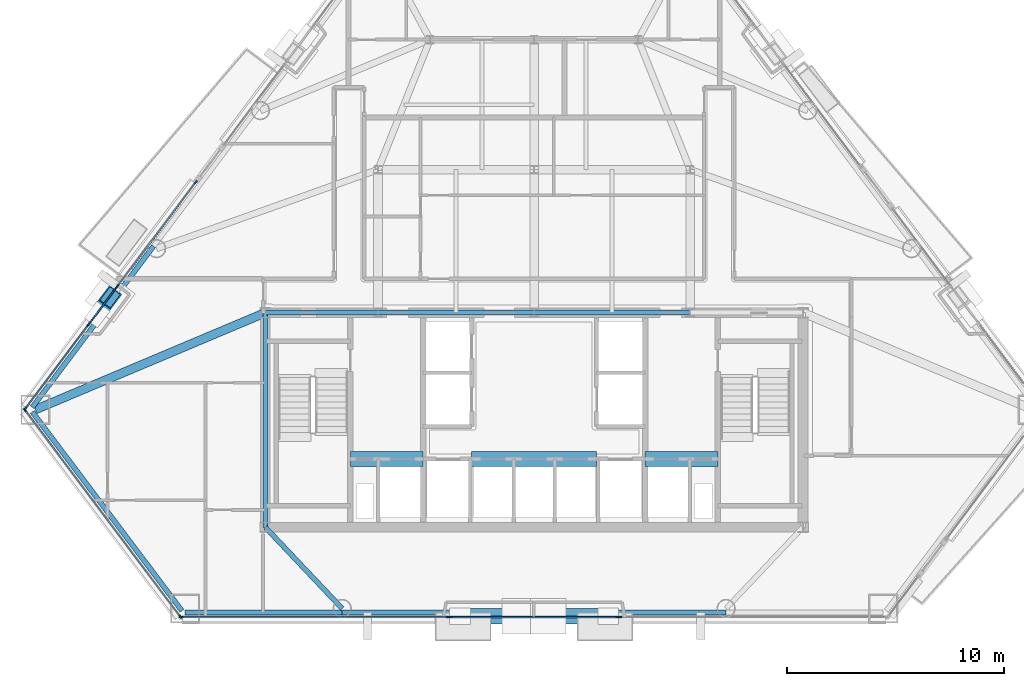
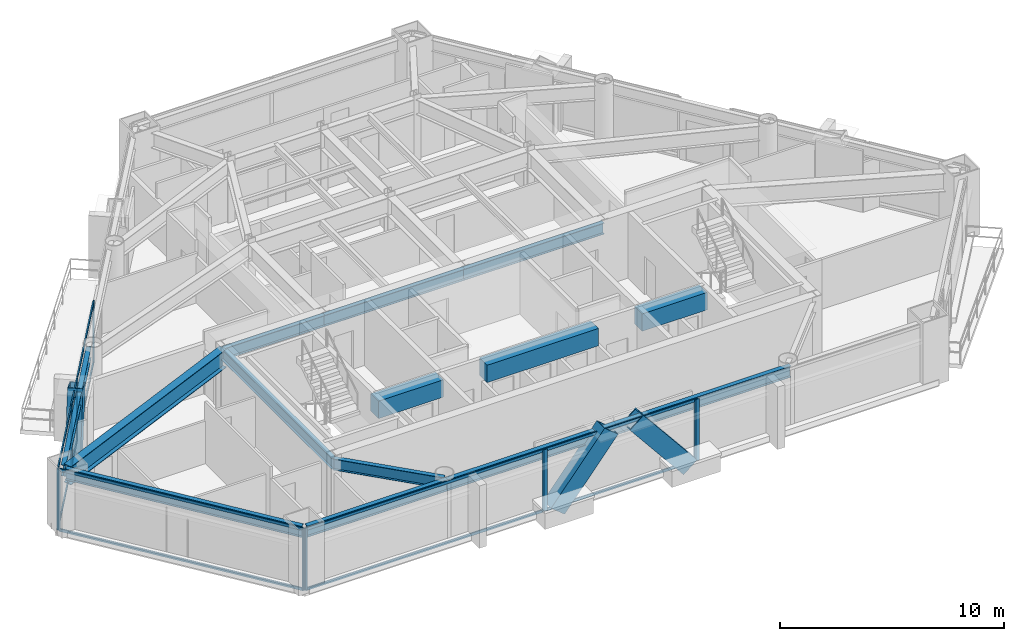
# One storey, part 2 of 11: 28 members, 13 beams, 7 elements without a shape of their own.
"""IFC4 building model written with IfcOpenShell, lengths in metres."""

from ifc_helpers import new_model, si_unit, direction, frame, origin, origin_2d, place, context, subcontext, project, spatial, rectangle, hollow_rectangle, i_section, extrude, material, layer, layer_set, material_profile, profile_set, type_object, element, aggregate, save


model = new_model("IFC4")

# Units and contexts
model_context = context("Model", 3, precision=1e-05, world=origin(), true_north=direction((0.0, 1.0)))
body_context = subcontext(model_context, "Body", "Model", "MODEL_VIEW")
ifc_project = project(units=[si_unit("LENGTHUNIT", "METRE"), si_unit("AREAUNIT", "SQUARE_METRE"), si_unit("VOLUMEUNIT", "CUBIC_METRE"), si_unit("PLANEANGLEUNIT", "RADIAN"), si_unit("MASSUNIT", "GRAM", prefix="KILO")], contexts=[model_context])

# Site, building, storey
site_placement = place(None, origin())
site = spatial("IfcSite", under=ifc_project, at=site_placement, CompositionType="ELEMENT")
building_placement = place(site_placement, origin())
building = spatial("IfcBuilding", under=site, at=building_placement, Name="Talgorran Terracotta Tower", CompositionType="ELEMENT")
storey_placement = place(building_placement, frame((0.0, 0.0, 72.0)))
storey = spatial("IfcBuildingStorey", under=building, at=storey_placement, Name="L18", CompositionType="ELEMENT", Elevation=72.0)

# Beams
ifc_material_1 = material(Name="Steel Grade 350 (350L0)", Category="steel")
ifc_material_profile_1 = material_profile(ifc_material_1, i_section(OverallWidth=0.39990234375, OverallDepth=1.0, WebThickness=0.01611328125, FlangeThickness=0.031005859375, at=origin_2d()), Name="1000WB296")
ifc_profile_set_1 = profile_set([ifc_material_profile_1], Name="Steel Grade 350 (350L0)")
beam_type_1 = type_object("IfcBeamType", Name="BM_1000WB296", PredefinedType="BEAM", material=ifc_profile_set_1)
beam_1_placement = place(storey_placement, frame((-12.39990234375, -4.199951171875, 2.85009765625), z_axis=(-0.921400833848, -0.388613565619, 0.0), x_axis=(0.388613565619, -0.921400833848, 0.0)))
element("IfcBeam", 1, at=beam_1_placement, inside=storey, type_object=beam_type_1, Name="L18 Floor Girder G17", PredefinedType="BEAM", context=body_context, shape_type="SweptSolid", body=[
    extrude(i_section(OverallWidth=0.39990234375, OverallDepth=1.0, WebThickness=0.01611328125, FlangeThickness=0.031005859375, at=origin_2d()), origin(), (0.0, 0.0, 1.0), 11.510009765625),
])
ifc_material_2 = material(Name="Concrete C65/80", Category="concrete")
ifc_material_profile_2 = material_profile(ifc_material_2, rectangle(XDim=0.699951171875, YDim=0.949951171875, at=origin_2d()), Name="RCCB700X950")
ifc_profile_set_2 = profile_set([ifc_material_profile_2], Name="Concrete C65/80")
beam_type_2 = type_object("IfcBeamType", Name="BM_CB_700X950", PredefinedType="LINTEL", material=ifc_profile_set_2)
beam_2_placement = place(storey_placement, frame((-8.47998046875, -10.949951171875, 2.875), z_axis=(1.0, 0.0, 0.0), x_axis=(0.0, 1.0, 0.0)))
element("IfcBeam", 2, at=beam_2_placement, inside=storey, type_object=beam_type_2, Name="L18 Core Shear-Wall Coupling Beam CB1", PredefinedType="LINTEL", context=body_context, shape_type="SweptSolid", body=[
    extrude(rectangle(XDim=0.699951171875, YDim=0.949951171875, at=origin_2d()), origin(), (0.0, 0.0, 1.0), 3.35986328125),
])
beam_3_placement = place(storey_placement, frame((-2.8798828125, -10.949951171875, 2.875), z_axis=(1.0, 0.0, 0.0), x_axis=(0.0, 1.0, 0.0)))
element("IfcBeam", 3, at=beam_3_placement, inside=storey, type_object=beam_type_2, Name="L18 Core Shear-Wall Coupling Beam CB2", PredefinedType="LINTEL", context=body_context, shape_type="SweptSolid", body=[
    extrude(rectangle(XDim=0.699951171875, YDim=0.949951171875, at=origin_2d()), origin(), (0.0, 0.0, 1.0), 5.759765625),
])
beam_4_placement = place(storey_placement, frame((5.1201171875, -10.949951171875, 2.875), z_axis=(1.0, 0.0, 0.0), x_axis=(0.0, 1.0, 0.0)))
element("IfcBeam", 4, at=beam_4_placement, inside=storey, type_object=beam_type_2, Name="L18 Core Shear-Wall Coupling Beam CB3", PredefinedType="LINTEL", context=body_context, shape_type="SweptSolid", body=[
    extrude(rectangle(XDim=0.699951171875, YDim=0.949951171875, at=origin_2d()), origin(), (0.0, 0.0, 1.0), 3.35986328125),
])
ifc_material_3 = material(Name="Steel S355 (300PLUS)", Category="steel")
ifc_material_profile_3 = material_profile(ifc_material_3, i_section(OverallWidth=0.22900390625, OverallDepth=0.611572265625, WebThickness=0.011962890625, FlangeThickness=0.01953125, at=origin_2d()), Name="610UB125")
ifc_profile_set_3 = profile_set([ifc_material_profile_3], Name="Steel S355 (300PLUS)")
beam_type_3 = type_object("IfcBeamType", Name="BM_SP_610UB125", PredefinedType="SPANDREL", material=ifc_profile_set_3)
beam_5_placement = place(storey_placement, frame((-23.14892578125, -8.781005859375, 3.044189453125), z_axis=(0.601237780209, -0.799070166913, 0.0), x_axis=(0.799070166913, 0.601237780209, 0.0)))
element("IfcBeam", 5, at=beam_5_placement, inside=storey, type_object=beam_type_3, Name="L18 Perimeter Spandrel Beam MC1-MC2", PredefinedType="SPANDREL", context=body_context, shape_type="SweptSolid", body=[
    extrude(i_section(OverallWidth=0.22900390625, OverallDepth=0.611572265625, WebThickness=0.011962890625, FlangeThickness=0.01953125, at=origin_2d()), origin(), (0.0, 0.0, 1.0), 11.480712890625),
])
beam_6_placement = place(storey_placement, frame((-16.1025390625, -18.026611328125, 3.044189453125), z_axis=(1.0, 0.0, 0.0), x_axis=(0.0, 1.0, 0.0)))
element("IfcBeam", 6, at=beam_6_placement, inside=storey, type_object=beam_type_3, Name="L18 Perimeter Spandrel Beam MC2-FC1", PredefinedType="SPANDREL", context=body_context, shape_type="SweptSolid", body=[
    extrude(i_section(OverallWidth=0.22900390625, OverallDepth=0.611572265625, WebThickness=0.011962890625, FlangeThickness=0.01953125, at=origin_2d()), origin(), (0.0, 0.0, 1.0), 7.24609375),
])
beam_7_placement = place(storey_placement, frame((-8.8564453125, -18.026611328125, 3.044189453125), z_axis=(1.0, 0.0, 0.0), x_axis=(0.0, 1.0, 0.0)))
element("IfcBeam", 7, at=beam_7_placement, inside=storey, type_object=beam_type_3, Name="L18 Perimeter Spandrel Beam FC1-FC2", PredefinedType="SPANDREL", context=body_context, shape_type="SweptSolid", body=[
    extrude(i_section(OverallWidth=0.22900390625, OverallDepth=0.611572265625, WebThickness=0.011962890625, FlangeThickness=0.01953125, at=origin_2d()), origin(), (0.0, 0.0, 1.0), 17.712890625),
])
beam_8_placement = place(storey_placement, frame((-17.559326171875, -1.135498046875, 3.044189453125), z_axis=(-0.601217758064, -0.799085231617, 0.0), x_axis=(0.799085231617, -0.601217758064, 0.0)))
element("IfcBeam", 8, at=beam_8_placement, inside=storey, type_object=beam_type_3, Name="L18 Perimeter Spandrel Beam FC6-MC1", PredefinedType="SPANDREL", context=body_context, shape_type="SweptSolid", body=[
    extrude(i_section(OverallWidth=0.22900390625, OverallDepth=0.611572265625, WebThickness=0.011962890625, FlangeThickness=0.01953125, at=origin_2d()), origin(), (0.0, 0.0, 1.0), 9.297119140625),
])
beam_9_placement = place(storey_placement, frame((-8.8564453125, -17.8466796875, 3.044189453125), z_axis=(-0.687137724954, 0.726527182523, 0.0), x_axis=(-0.726527182523, -0.687137724954, 0.0)))
element("IfcBeam", 9, at=beam_9_placement, inside=storey, type_object=beam_type_3, Name="L18 South-West Core Tie Beam", PredefinedType="SPANDREL", context=body_context, shape_type="SweptSolid", body=[
    extrude(i_section(OverallWidth=0.22900390625, OverallDepth=0.611572265625, WebThickness=0.011962890625, FlangeThickness=0.01953125, at=origin_2d()), origin(), (0.0, 0.0, 1.0), 5.15673828125),
])
beam_10_placement = place(storey_placement, frame((-12.39990234375, -14.10009765625, 3.044189453125), z_axis=(0.0, 1.0, 0.0), x_axis=(-1.0, 0.0, 0.0)))
element("IfcBeam", 10, at=beam_10_placement, inside=storey, type_object=beam_type_3, Name="L18 Core Frame Beam CFW", PredefinedType="SPANDREL", context=body_context, shape_type="SweptSolid", body=[
    extrude(i_section(OverallWidth=0.22900390625, OverallDepth=0.611572265625, WebThickness=0.011962890625, FlangeThickness=0.01953125, at=origin_2d()), origin(), (0.0, 0.0, 1.0), 9.900146484375),
])
beam_11_placement = place(storey_placement, frame((-12.39990234375, -4.199951171875, 3.044189453125), z_axis=(1.0, 0.0, 0.0), x_axis=(0.0, 1.0, 0.0)))
element("IfcBeam", 11, at=beam_11_placement, inside=storey, type_object=beam_type_3, Name="L18 Core Frame Beam CFN1", PredefinedType="SPANDREL", context=body_context, shape_type="SweptSolid", body=[
    extrude(i_section(OverallWidth=0.22900390625, OverallDepth=0.611572265625, WebThickness=0.011962890625, FlangeThickness=0.01953125, at=origin_2d()), origin(), (0.0, 0.0, 1.0), 5.199951171875),
])
for number, where, z_axis, x_axis, name in (
    (12, (-7.199951171875, -4.199951171875, 3.044189453125), (1.0, 0.0, 0.0), (0.0, 1.0, 0.0), "L18 Core Frame Beam CFN2"),
    (13, (0.0, -4.199951171875, 3.044189453125), (1.0, 0.0, 0.0), (0.0, 1.0, 0.0), "L18 Core Frame Beam CFN3"),
):
    element("IfcBeam", number, at=place(storey_placement, frame(where, z_axis=z_axis, x_axis=x_axis)), inside=storey, type_object=beam_type_3, Name=name, PredefinedType="SPANDREL", context=body_context, shape_type="SweptSolid", body=[
        extrude(i_section(OverallWidth=0.22900390625, OverallDepth=0.611572265625, WebThickness=0.011962890625, FlangeThickness=0.01953125, at=origin_2d()), origin(), (0.0, 0.0, 1.0), 7.199951171875),
    ])

# Members
ifc_material_profile_4 = material_profile(ifc_material_1, hollow_rectangle(XDim=0.699951171875, YDim=0.89990234375, WallThickness=0.050048828125, at=origin_2d()), Name="WBOX900X700X50")
ifc_profile_set_4 = profile_set([ifc_material_profile_4], Name="Steel Grade 350 (350L0)")
member_type_1 = type_object("IfcMemberType", Name="MB_MEGA_900", PredefinedType="BRACE", material=ifc_profile_set_4)
for number, where, z_axis, x_axis, name in (
    (14, (-3.419189453125, -18.206787109375, -0.02490234375), (0.63133449361, 0.0, 0.775510642853), (0.0, 1.0, 0.0), "L18 Exterior Face Mega-Brace MB-1 (SWF)"),
    (15, (3.419189453125, -18.206787109375, -0.02490234375), (-0.63133449361, 0.0, 0.775510642853), (0.0, -1.0, 0.0), "L18 Exterior Face Mega-Brace MB-1 (SEF)"),
):
    element("IfcMember", number, at=place(storey_placement, frame(where, z_axis=z_axis, x_axis=x_axis)), inside=storey, type_object=member_type_1, Name=name, PredefinedType="BRACE", context=body_context, shape_type="SweptSolid", body=[
        extrude(hollow_rectangle(XDim=0.699951171875, YDim=0.89990234375, WallThickness=0.050048828125, at=origin_2d()), origin(), (0.0, 0.0, 1.0), 4.384033203125),
    ])
member_1_placement = place(storey_placement, frame((-20.15869140625, -4.291015625, -0.02490234375), z_axis=(0.169544414905, 0.225416223311, 0.959396798849), x_axis=(-0.799178579283, 0.601093668587, 0.0)))
element("IfcMember", 16, at=member_1_placement, inside=storey, type_object=member_type_1, Name="L18 Exterior Face Mega-Brace MB-1 (NWL)", PredefinedType="BRACE", context=body_context, shape_type="SweptSolid", body=[
    extrude(hollow_rectangle(XDim=0.699951171875, YDim=0.89990234375, WallThickness=0.050048828125, at=origin_2d()), origin(), (0.0, 0.0, 1.0), 3.543701171875),
])

# Curtain wall, members
ifc_material_4 = material(Name="Unitised Low-E Double Glazing", Category="glass")
ifc_layer = layer(ifc_material_4, 0.199951171875, Name="CW_SYS2_RES_LOW")
ifc_layer_set = layer_set([ifc_layer], Name="Unitised Low-E Double Glazing")
curtain_wall_type = type_object("IfcCurtainWallType", Name="CW_SYS2_RES_LOW", PredefinedType="NOTDEFINED", material=ifc_layer_set)
curtain_wall_1_placement = place(storey_placement, origin())
curtain_wall_1 = element("IfcCurtainWall", 17, at=curtain_wall_1_placement, inside=storey, type_object=curtain_wall_type, Name="CW-L18-F0", PredefinedType="NOTDEFINED")
ifc_material_5 = material(Name="Architectural Aluminium 6063-T6", Category="aluminium")
ifc_material_profile_5 = material_profile(ifc_material_5, rectangle(XDim=0.06494140625, YDim=0.18505859375, at=origin_2d()), Name="CWM65X185")
ifc_profile_set_5 = profile_set([ifc_material_profile_5], Name="Architectural Aluminium 6063-T6")
member_type_2 = type_object("IfcMemberType", Name="MUL_65X185", PredefinedType="MULLION", material=ifc_profile_set_5)
member_2_placement = place(storey_placement, frame((-23.486328125, -8.69873046875, 0.0), z_axis=(0.0, 0.0, 1.0), x_axis=(0.799066585102, 0.601242540556, 0.0)))
member_2 = element("IfcMember", 18, at=member_2_placement, type_object=member_type_2, Name="CW-L18-0 mullion 1", PredefinedType="MULLION", context=body_context, shape_type="SweptSolid", body=[
    extrude(rectangle(XDim=0.06494140625, YDim=0.18505859375, at=origin_2d()), origin(), (0.0, 0.0, 1.0), 3.35009765625),
])
member_3_placement = place(storey_placement, frame((-16.321533203125, -18.220703125, 0.0), z_axis=(0.0, 0.0, 1.0), x_axis=(0.799066585102, 0.601242540556, 0.0)))
member_3 = element("IfcMember", 19, at=member_3_placement, type_object=member_type_2, Name="CW-L18-0 mullion 2", PredefinedType="MULLION", context=body_context, shape_type="SweptSolid", body=[
    extrude(rectangle(XDim=0.06494140625, YDim=0.18505859375, at=origin_2d()), origin(), (0.0, 0.0, 1.0), 3.35009765625),
])

curtain_wall_2_placement = place(storey_placement, origin())
curtain_wall_2 = element("IfcCurtainWall", 20, at=curtain_wall_2_placement, inside=storey, type_object=curtain_wall_type, Name="CW-L18-F1", PredefinedType="NOTDEFINED")
member_4_placement = place(storey_placement, frame((-16.26953125, -18.24658203125, 0.0), z_axis=(0.0, 0.0, 1.0), x_axis=(0.0, 1.0, 0.0)))
member_4 = element("IfcMember", 21, at=member_4_placement, type_object=member_type_2, Name="CW-L18-1 mullion 1", PredefinedType="MULLION", context=body_context, shape_type="SweptSolid", body=[
    extrude(rectangle(XDim=0.06494140625, YDim=0.18505859375, at=origin_2d()), origin(), (0.0, 0.0, 1.0), 3.35009765625),
])
member_5_placement = place(storey_placement, frame((-3.955810546875, -18.24658203125, 0.0), z_axis=(0.0, 0.0, 1.0), x_axis=(0.0, 1.0, 0.0)))
member_5 = element("IfcMember", 22, at=member_5_placement, type_object=member_type_2, Name="CW-L18-1 mullion 2", PredefinedType="MULLION", context=body_context, shape_type="SweptSolid", body=[
    extrude(rectangle(XDim=0.06494140625, YDim=0.18505859375, at=origin_2d()), origin(), (0.0, 0.0, 1.0), 3.35009765625),
])

curtain_wall_3_placement = place(storey_placement, origin())
curtain_wall_3 = element("IfcCurtainWall", 23, at=curtain_wall_3_placement, inside=storey, type_object=curtain_wall_type, Name="CW-L18-F1B", PredefinedType="NOTDEFINED")
member_6_placement = place(storey_placement, frame((-3.880859375, -18.24658203125, 0.0), z_axis=(0.0, 0.0, 1.0), x_axis=(0.0, 1.0, 0.0)))
member_6 = element("IfcMember", 24, at=member_6_placement, type_object=member_type_2, Name="CW-L18-1B mullion 1", PredefinedType="MULLION", context=body_context, shape_type="SweptSolid", body=[
    extrude(rectangle(XDim=0.06494140625, YDim=0.18505859375, at=origin_2d()), origin(), (0.0, 0.0, 1.0), 3.35009765625),
])
member_7_placement = place(storey_placement, frame((3.880859375, -18.24658203125, 0.0), z_axis=(0.0, 0.0, 1.0), x_axis=(0.0, 1.0, 0.0)))
member_7 = element("IfcMember", 25, at=member_7_placement, type_object=member_type_2, Name="CW-L18-1B mullion 2", PredefinedType="MULLION", context=body_context, shape_type="SweptSolid", body=[
    extrude(rectangle(XDim=0.06494140625, YDim=0.18505859375, at=origin_2d()), origin(), (0.0, 0.0, 1.0), 3.35009765625),
])

# Curtain wall, member
curtain_wall_4_placement = place(storey_placement, origin())
curtain_wall_4 = element("IfcCurtainWall", 26, at=curtain_wall_4_placement, inside=storey, type_object=curtain_wall_type, Name="CW-L18-F1C", PredefinedType="NOTDEFINED")
member_8_placement = place(storey_placement, frame((3.955810546875, -18.24658203125, 0.0), z_axis=(0.0, 0.0, 1.0), x_axis=(0.0, 1.0, 0.0)))
member_8 = element("IfcMember", 27, at=member_8_placement, type_object=member_type_2, Name="CW-L18-1C mullion 1", PredefinedType="MULLION", context=body_context, shape_type="SweptSolid", body=[
    extrude(rectangle(XDim=0.06494140625, YDim=0.18505859375, at=origin_2d()), origin(), (0.0, 0.0, 1.0), 3.35009765625),
])
aggregate(curtain_wall_4, [member_8])

# Curtain wall, members
curtain_wall_5_placement = place(storey_placement, origin())
curtain_wall_5 = element("IfcCurtainWall", 28, at=curtain_wall_5_placement, inside=storey, type_object=curtain_wall_type, Name="CW-L18-F61", PredefinedType="NOTDEFINED")
member_9_placement = place(storey_placement, frame((-15.6162109375, 1.812744140625, 0.0), z_axis=(0.0, 0.0, 1.0), x_axis=(0.799063538603, -0.601246589409, 0.0)))
member_9 = element("IfcMember", 29, at=member_9_placement, type_object=member_type_2, Name="CW-L18-61 mullion 1", PredefinedType="MULLION", context=body_context, shape_type="SweptSolid", body=[
    extrude(rectangle(XDim=0.06494140625, YDim=0.18505859375, at=origin_2d()), origin(), (0.0, 0.0, 1.0), 3.35009765625),
])
member_10_placement = place(storey_placement, frame((-19.217529296875, -2.973388671875, 0.0), z_axis=(0.0, 0.0, 1.0), x_axis=(0.799063538603, -0.601246589409, 0.0)))
member_10 = element("IfcMember", 30, at=member_10_placement, type_object=member_type_2, Name="CW-L18-61 mullion 2", PredefinedType="MULLION", context=body_context, shape_type="SweptSolid", body=[
    extrude(rectangle(XDim=0.06494140625, YDim=0.18505859375, at=origin_2d()), origin(), (0.0, 0.0, 1.0), 3.35009765625),
])

curtain_wall_6_placement = place(storey_placement, origin())
curtain_wall_6 = element("IfcCurtainWall", 31, at=curtain_wall_6_placement, inside=storey, type_object=curtain_wall_type, Name="CW-L18-F61B", PredefinedType="NOTDEFINED")
member_11_placement = place(storey_placement, frame((-19.262451171875, -3.033447265625, 0.0), z_axis=(0.0, 0.0, 1.0), x_axis=(0.79906266779, -0.601247746727, 0.0)))
member_11 = element("IfcMember", 32, at=member_11_placement, type_object=member_type_2, Name="CW-L18-61B mullion 1", PredefinedType="MULLION", context=body_context, shape_type="SweptSolid", body=[
    extrude(rectangle(XDim=0.06494140625, YDim=0.18505859375, at=origin_2d()), origin(), (0.0, 0.0, 1.0), 3.35009765625),
])
member_12_placement = place(storey_placement, frame((-20.51806640625, -4.701904296875, 0.0), z_axis=(0.0, 0.0, 1.0), x_axis=(0.79906266779, -0.601247746727, 0.0)))
member_12 = element("IfcMember", 33, at=member_12_placement, type_object=member_type_2, Name="CW-L18-61B mullion 2", PredefinedType="MULLION", context=body_context, shape_type="SweptSolid", body=[
    extrude(rectangle(XDim=0.06494140625, YDim=0.18505859375, at=origin_2d()), origin(), (0.0, 0.0, 1.0), 3.35009765625),
])

curtain_wall_7_placement = place(storey_placement, origin())
curtain_wall_7 = element("IfcCurtainWall", 34, at=curtain_wall_7_placement, inside=storey, type_object=curtain_wall_type, Name="CW-L18-F61C", PredefinedType="NOTDEFINED")
member_13_placement = place(storey_placement, frame((-20.56298828125, -4.76171875, 0.0), z_axis=(0.0, 0.0, 1.0), x_axis=(0.799061020929, -0.601249935411, 0.0)))
member_13 = element("IfcMember", 35, at=member_13_placement, type_object=member_type_2, Name="CW-L18-61C mullion 1", PredefinedType="MULLION", context=body_context, shape_type="SweptSolid", body=[
    extrude(rectangle(XDim=0.06494140625, YDim=0.18505859375, at=origin_2d()), origin(), (0.0, 0.0, 1.0), 3.35009765625),
])
member_14_placement = place(storey_placement, frame((-23.462158203125, -8.61474609375, 0.0), z_axis=(0.0, 0.0, 1.0), x_axis=(0.799061020929, -0.601249935411, 0.0)))
member_14 = element("IfcMember", 36, at=member_14_placement, type_object=member_type_2, Name="CW-L18-61C mullion 2", PredefinedType="MULLION", context=body_context, shape_type="SweptSolid", body=[
    extrude(rectangle(XDim=0.06494140625, YDim=0.18505859375, at=origin_2d()), origin(), (0.0, 0.0, 1.0), 3.35009765625),
])

# Member
ifc_material_profile_6 = material_profile(ifc_material_5, rectangle(XDim=0.06494140625, YDim=0.14990234375, at=origin_2d()), Name="CWT65X150")
ifc_profile_set_6 = profile_set([ifc_material_profile_6], Name="Architectural Aluminium 6063-T6")
member_type_3 = type_object("IfcMemberType", Name="TRN_65X150", PredefinedType="USERDEFINED", material=ifc_profile_set_6)
member_15_placement = place(storey_placement, frame((-23.466796875, -8.724853515625, 0.032470703125), z_axis=(0.601255042724, -0.799057177929, 0.0), x_axis=(0.799057177929, 0.601255042724, 0.0)))
member_15 = element("IfcMember", 37, at=member_15_placement, type_object=member_type_3, Name="CW-L18-0 transom 1.1", ObjectType="TRANSOM", PredefinedType="USERDEFINED", context=body_context, shape_type="SweptSolid", body=[
    extrude(rectangle(XDim=0.06494140625, YDim=0.14990234375, at=origin_2d()), origin(), (0.0, 0.0, 1.0), 11.851318359375),
])

member_16_placement = place(storey_placement, frame((-23.466796875, -8.724853515625, 3.3173828125), z_axis=(0.601255042724, -0.799057177929, 0.0), x_axis=(0.799057177929, 0.601255042724, 0.0)))
member_16 = element("IfcMember", 38, at=member_16_placement, type_object=member_type_3, Name="CW-L18-0 transom 1.2", ObjectType="TRANSOM", PredefinedType="USERDEFINED", context=body_context, shape_type="SweptSolid", body=[
    extrude(rectangle(XDim=0.06494140625, YDim=0.14990234375, at=origin_2d()), origin(), (0.0, 0.0, 1.0), 11.851318359375),
])

aggregate(curtain_wall_1, [member_2, member_3, member_15, member_16])

member_17_placement = place(storey_placement, frame((-16.237060546875, -18.24658203125, 0.032470703125), z_axis=(1.0, 0.0, 0.0), x_axis=(0.0, 1.0, 0.0)))
member_17 = element("IfcMember", 39, at=member_17_placement, type_object=member_type_3, Name="CW-L18-1 transom 1.1", ObjectType="TRANSOM", PredefinedType="USERDEFINED", context=body_context, shape_type="SweptSolid", body=[
    extrude(rectangle(XDim=0.06494140625, YDim=0.14990234375, at=origin_2d()), origin(), (0.0, 0.0, 1.0), 12.248779296875),
])

member_18_placement = place(storey_placement, frame((-16.237060546875, -18.24658203125, 3.3173828125), z_axis=(1.0, 0.0, 0.0), x_axis=(0.0, 1.0, 0.0)))
member_18 = element("IfcMember", 40, at=member_18_placement, type_object=member_type_3, Name="CW-L18-1 transom 1.2", ObjectType="TRANSOM", PredefinedType="USERDEFINED", context=body_context, shape_type="SweptSolid", body=[
    extrude(rectangle(XDim=0.06494140625, YDim=0.14990234375, at=origin_2d()), origin(), (0.0, 0.0, 1.0), 12.248779296875),
])

aggregate(curtain_wall_2, [member_4, member_5, member_17, member_18])

member_19_placement = place(storey_placement, frame((-3.848388671875, -18.24658203125, 0.032470703125), z_axis=(1.0, 0.0, 0.0), x_axis=(0.0, 1.0, 0.0)))
member_19 = element("IfcMember", 41, at=member_19_placement, type_object=member_type_3, Name="CW-L18-1B transom 1.1", ObjectType="TRANSOM", PredefinedType="USERDEFINED", context=body_context, shape_type="SweptSolid", body=[
    extrude(rectangle(XDim=0.06494140625, YDim=0.14990234375, at=origin_2d()), origin(), (0.0, 0.0, 1.0), 7.69677734375),
])

member_20_placement = place(storey_placement, frame((-3.848388671875, -18.24658203125, 3.3173828125), z_axis=(1.0, 0.0, 0.0), x_axis=(0.0, 1.0, 0.0)))
member_20 = element("IfcMember", 42, at=member_20_placement, type_object=member_type_3, Name="CW-L18-1B transom 1.2", ObjectType="TRANSOM", PredefinedType="USERDEFINED", context=body_context, shape_type="SweptSolid", body=[
    extrude(rectangle(XDim=0.06494140625, YDim=0.14990234375, at=origin_2d()), origin(), (0.0, 0.0, 1.0), 7.69677734375),
])

aggregate(curtain_wall_3, [member_6, member_7, member_19, member_20])

member_21_placement = place(storey_placement, frame((-15.6357421875, 1.78662109375, 0.032470703125), z_axis=(-0.601258557681, -0.799054533067, 0.0), x_axis=(0.799054533067, -0.601258557681, 0.0)))
member_21 = element("IfcMember", 43, at=member_21_placement, type_object=member_type_3, Name="CW-L18-61 transom 1.1", ObjectType="TRANSOM", PredefinedType="USERDEFINED", context=body_context, shape_type="SweptSolid", body=[
    extrude(rectangle(XDim=0.06494140625, YDim=0.14990234375, at=origin_2d()), origin(), (0.0, 0.0, 1.0), 5.924560546875),
])

member_22_placement = place(storey_placement, frame((-15.6357421875, 1.78662109375, 3.3173828125), z_axis=(-0.601258557681, -0.799054533067, 0.0), x_axis=(0.799054533067, -0.601258557681, 0.0)))
member_22 = element("IfcMember", 44, at=member_22_placement, type_object=member_type_3, Name="CW-L18-61 transom 1.2", ObjectType="TRANSOM", PredefinedType="USERDEFINED", context=body_context, shape_type="SweptSolid", body=[
    extrude(rectangle(XDim=0.06494140625, YDim=0.14990234375, at=origin_2d()), origin(), (0.0, 0.0, 1.0), 5.924560546875),
])

aggregate(curtain_wall_5, [member_9, member_10, member_21, member_22])

member_23_placement = place(storey_placement, frame((-19.281982421875, -3.059326171875, 0.032470703125), z_axis=(-0.601331437526, -0.798999688513, 0.0), x_axis=(0.798999688513, -0.601331437526, 0.0)))
member_23 = element("IfcMember", 45, at=member_23_placement, type_object=member_type_3, Name="CW-L18-61B transom 1.1", ObjectType="TRANSOM", PredefinedType="USERDEFINED", context=body_context, shape_type="SweptSolid", body=[
    extrude(rectangle(XDim=0.06494140625, YDim=0.14990234375, at=origin_2d()), origin(), (0.0, 0.0, 1.0), 2.023193359375),
])

member_24_placement = place(storey_placement, frame((-19.281982421875, -3.059326171875, 3.3173828125), z_axis=(-0.601331437526, -0.798999688513, 0.0), x_axis=(0.798999688513, -0.601331437526, 0.0)))
member_24 = element("IfcMember", 46, at=member_24_placement, type_object=member_type_3, Name="CW-L18-61B transom 1.2", ObjectType="TRANSOM", PredefinedType="USERDEFINED", context=body_context, shape_type="SweptSolid", body=[
    extrude(rectangle(XDim=0.06494140625, YDim=0.14990234375, at=origin_2d()), origin(), (0.0, 0.0, 1.0), 2.023193359375),
])

aggregate(curtain_wall_6, [member_11, member_12, member_23, member_24])

member_25_placement = place(storey_placement, frame((-20.58251953125, -4.787841796875, 0.032470703125), z_axis=(-0.601255661131, -0.799056712604, 0.0), x_axis=(0.799056712604, -0.601255661131, 0.0)))
member_25 = element("IfcMember", 47, at=member_25_placement, type_object=member_type_3, Name="CW-L18-61C transom 1.1", ObjectType="TRANSOM", PredefinedType="USERDEFINED", context=body_context, shape_type="SweptSolid", body=[
    extrude(rectangle(XDim=0.06494140625, YDim=0.14990234375, at=origin_2d()), origin(), (0.0, 0.0, 1.0), 4.7568359375),
])

member_26_placement = place(storey_placement, frame((-20.58251953125, -4.787841796875, 3.3173828125), z_axis=(-0.601255661131, -0.799056712604, 0.0), x_axis=(0.799056712604, -0.601255661131, 0.0)))
member_26 = element("IfcMember", 48, at=member_26_placement, type_object=member_type_3, Name="CW-L18-61C transom 1.2", ObjectType="TRANSOM", PredefinedType="USERDEFINED", context=body_context, shape_type="SweptSolid", body=[
    extrude(rectangle(XDim=0.06494140625, YDim=0.14990234375, at=origin_2d()), origin(), (0.0, 0.0, 1.0), 4.7568359375),
])

aggregate(curtain_wall_7, [member_13, member_14, member_25, member_26])

save(model, "model.ifc")
